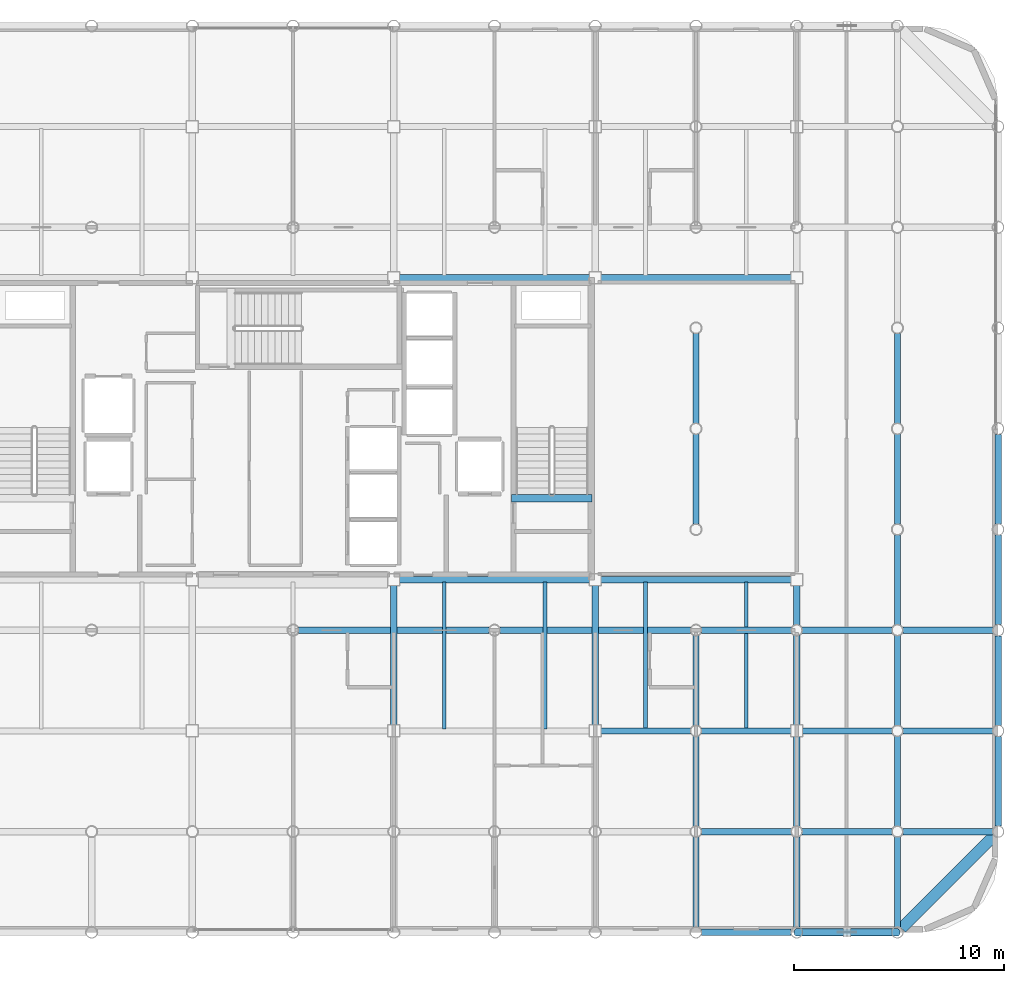
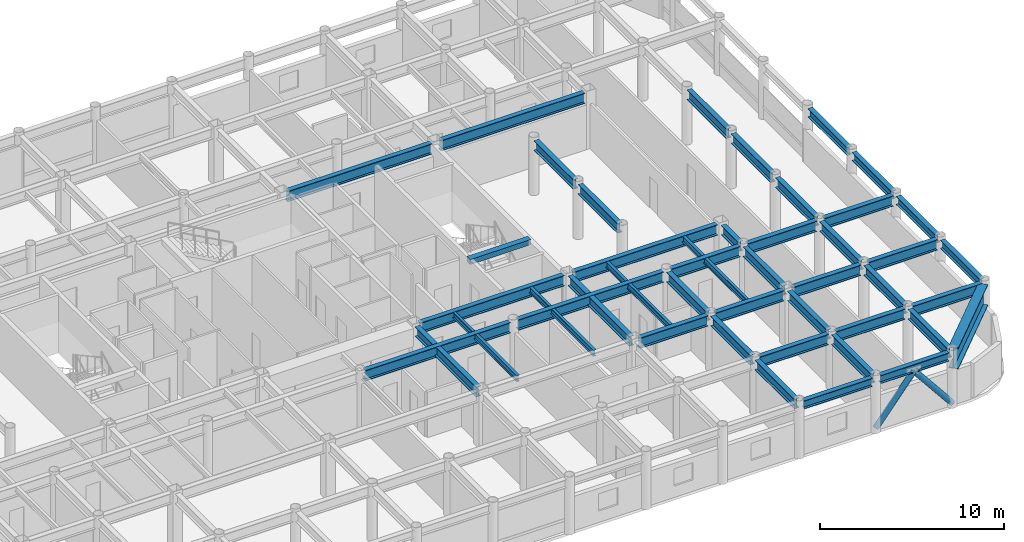
# One storey, part 9 of 21: 45 beams, 2 members.
"""IFC4 building model written with IfcOpenShell, lengths in metres."""

import ifcopenshell
import ifcopenshell.guid

model = None  # the IFC model being written
_history = None  # IfcOwnerHistory: only IFC2X3 demands one
_inside = {}  # id of a spatial element -> (the spatial element, [elements in it])
_under = {}  # id of a project, library or spatial element -> (it, [spatial elements below it])
_declared = {}  # id of a project -> (the project, [libraries it declares])
_typed = {}  # id of a type object -> (the type object, [elements of that type])
_made_of = {}  # id of a material, layer set ... -> (it, [elements and type objects made of it])


def new_model(schema):
    """Start an empty IFC model of exactly this schema.

    Asked for "IFC4X3", IfcOpenShell would pick the latest addendum, in which some entities
    have other attributes; the version numbers below select the first issue.
    IFC2X3 requires an IfcOwnerHistory on every rooted entity: one is made here for all.
    """
    global model, _history
    if schema == "IFC4X3":
        model = ifcopenshell.file(schema_version=(4, 3, 0, 0))
    else:
        model = ifcopenshell.file(schema=schema)
    _inside.clear()
    _under.clear()
    _declared.clear()
    _typed.clear()
    _made_of.clear()
    _history = None
    if model.schema == "IFC2X3":
        org = make("IfcOrganization", Name="unknown")
        user = make(
            "IfcPersonAndOrganization",
            ThePerson=make("IfcPerson", FamilyName="unknown"),
            TheOrganization=org,
        )
        app = make(
            "IfcApplication",
            ApplicationDeveloper=org,
            Version="unknown",
            ApplicationFullName="unknown",
            ApplicationIdentifier="unknown",
        )
        _history = make(
            "IfcOwnerHistory",
            OwningUser=user,
            OwningApplication=app,
            ChangeAction="ADDED",
            CreationDate=0,
        )
    return model


def make(cls, **values):
    """One entity of the class cls with the attributes given. An attribute that is None is left unset."""
    return model.create_entity(
        cls, **{name: value for name, value in values.items() if value is not None}
    )


def rooted(cls, **values):
    """An entity with a GlobalId (a new one), such as an element, a storey or a relation."""
    return make(cls, GlobalId=ifcopenshell.guid.new(), OwnerHistory=_history, **values)


def si_unit(unit_type, name, prefix=None):
    """IfcSIUnit, for example si_unit("LENGTHUNIT", "METRE", prefix="MILLI")."""
    return make("IfcSIUnit", UnitType=unit_type, Prefix=prefix, Name=name)


def assignment(units):
    """IfcUnitAssignment: the units of a project."""
    return None if units is None else make("IfcUnitAssignment", Units=units)


def point(xyz):
    """IfcCartesianPoint."""
    return None if xyz is None else make("IfcCartesianPoint", Coordinates=xyz)


def direction(xyz):
    """IfcDirection."""
    return None if xyz is None else make("IfcDirection", DirectionRatios=xyz)


def frame(location, z_axis=None, x_axis=None):
    """IfcAxis2Placement3D, a coordinate frame: its origin and axes. An axis left out is left unset."""
    return make(
        "IfcAxis2Placement3D",
        Location=point(location),
        Axis=direction(z_axis),
        RefDirection=direction(x_axis),
    )


def frame_2d(location, x_axis=None):
    """IfcAxis2Placement2D, a coordinate frame in the plane: its origin and x axis."""
    return make(
        "IfcAxis2Placement2D", Location=point(location), RefDirection=direction(x_axis)
    )


def origin():
    """The frame at (0, 0, 0) with its axes left unset."""
    return frame((0.0, 0.0, 0.0))


def origin_2d():
    """The frame at (0, 0) in the plane with its x axis left unset."""
    return frame_2d((0.0, 0.0))


def place(relative_to, where):
    """IfcLocalPlacement: puts the frame where relative to a parent placement (None: the world)."""
    return make(
        "IfcLocalPlacement", PlacementRelTo=relative_to, RelativePlacement=where
    )


def context(
    kind, dimensions, precision=None, world=None, true_north=None, identifier=None
):
    """IfcGeometricRepresentationContext, for example the 3D "Model" context."""
    return make(
        "IfcGeometricRepresentationContext",
        ContextIdentifier=identifier,
        ContextType=kind,
        CoordinateSpaceDimension=dimensions,
        Precision=precision,
        WorldCoordinateSystem=world,
        TrueNorth=true_north,
    )


def subcontext(parent, identifier, kind, view, scale=None):
    """IfcGeometricRepresentationSubContext, for example "Body" below "Model"."""
    return make(
        "IfcGeometricRepresentationSubContext",
        ContextIdentifier=identifier,
        ContextType=kind,
        ParentContext=parent,
        TargetScale=scale,
        TargetView=view,
    )


def project(units=None, contexts=None):
    """IfcProject with its units and contexts."""
    return rooted(
        "IfcProject",
        Name="project",
        RepresentationContexts=contexts,
        UnitsInContext=assignment(units),
    )


def spatial(cls, under=None, at=None, **own):
    """A site, building, storey or space (cls), placed at a placement, below another one or the project."""
    s = rooted(cls, ObjectPlacement=at, **own)
    if under is not None:
        _under.setdefault(under.id(), (under, []))[1].append(s)
    return s


def profile(cls, at=None, kind="AREA", **sizes):
    """A parametric profile (cls). Its sizes go by their IFC names, for example OverallWidth=200.0."""
    return make(cls, ProfileType=kind, Position=at, **sizes)


def rectangle(**sizes):
    """IfcRectangleProfileDef."""
    return profile("IfcRectangleProfileDef", **sizes)


def hollow_circle(**sizes):
    """IfcCircleHollowProfileDef."""
    return profile("IfcCircleHollowProfileDef", **sizes)


def i_section(**sizes):
    """IfcIShapeProfileDef."""
    return profile("IfcIShapeProfileDef", **sizes)


def extrude(swept, where, along, depth):
    """IfcExtrudedAreaSolid: the profile swept, set in the frame where, extruded along a direction by depth."""
    return make(
        "IfcExtrudedAreaSolid",
        SweptArea=swept,
        Position=where,
        ExtrudedDirection=direction(along),
        Depth=depth,
    )


def shape(context_of_items, identifier, shape_type, items):
    """IfcShapeRepresentation: the items that make up one representation, for example the "Body"."""
    return make(
        "IfcShapeRepresentation",
        ContextOfItems=context_of_items,
        RepresentationIdentifier=identifier,
        RepresentationType=shape_type,
        Items=items,
    )


def material(Name=None, Category=None):
    """IfcMaterial."""
    return make("IfcMaterial", Name=Name, Category=Category)


def material_profile(
    of_material, cross_section, Name=None, Category=None, Priority=None
):
    """IfcMaterialProfile: a cross section and its material."""
    return make(
        "IfcMaterialProfile",
        Name=Name,
        Material=of_material,
        Profile=cross_section,
        Priority=Priority,
        Category=Category,
    )


def profile_set(profiles, Name=None, composite=None):
    """IfcMaterialProfileSet."""
    return make(
        "IfcMaterialProfileSet",
        Name=Name,
        MaterialProfiles=profiles,
        CompositeProfile=composite,
    )


def made_of(thing, what):
    """Note that an element or type object is made of a material, layer set ...; save() writes the relation."""
    if what is not None:
        _made_of.setdefault(what.id(), (what, []))[1].append(thing)
    return thing


def type_object(cls, material=None, **own):
    """A type object (cls), such as IfcWallType, which elements share."""
    return made_of(rooted(cls, **own), material)


def element(
    cls,
    number,
    at=None,
    inside=None,
    cuts=None,
    type_object=None,
    material=None,
    context=None,
    identifier="Body",
    shape_type=None,
    held_by="IfcProductDefinitionShape",
    body=None,
    shapes=None,
    **own,
):
    """One element of the class cls, such as IfcWall. Its Tag is "e" and its number.

    at: its placement. inside: the storey or other place that contains it. cuts: it is an
    opening in that element (IfcRelVoidsElement). A single representation is given by context,
    identifier, shape_type and body (its items); several are given by shapes. held_by: the class
    of the entity that holds the representations. save() writes the other relations.
    """
    e = rooted(cls, Tag="e%d" % number, ObjectPlacement=at, **own)
    if body is not None:
        shapes = [shape(context, identifier, shape_type, body)]
    if shapes is not None:
        e.Representation = make(held_by, Representations=shapes)
    if inside is not None:
        _inside.setdefault(inside.id(), (inside, []))[1].append(e)
    if cuts is not None:
        rooted(
            "IfcRelVoidsElement", RelatingBuildingElement=cuts, RelatedOpeningElement=e
        )
    if type_object is not None:
        _typed.setdefault(type_object.id(), (type_object, []))[1].append(e)
    return made_of(e, material)


def aggregate(whole, parts):
    """IfcRelAggregates: a whole, such as a stair, and the parts it consists of."""
    return rooted("IfcRelAggregates", RelatingObject=whole, RelatedObjects=parts)


def save(model, path):
    """Write the relations noted so far, then the file.

    IfcRelAggregates (storeys below a building ...), IfcRelContainedInSpatialStructure (elements
    in a storey), IfcRelDefinesByType, IfcRelAssociatesMaterial and IfcRelDeclares: one each for
    every whole, place, type object, material and project.
    """
    for whole, parts in _under.values():
        aggregate(whole, parts)
    for where, things in _inside.values():
        rooted(
            "IfcRelContainedInSpatialStructure",
            RelatedElements=things,
            RelatingStructure=where,
        )
    for kind, things in _typed.values():
        rooted("IfcRelDefinesByType", RelatedObjects=things, RelatingType=kind)
    for what, things in _made_of.values():
        rooted("IfcRelAssociatesMaterial", RelatedObjects=things, RelatingMaterial=what)
    for by, libraries in _declared.values():
        rooted("IfcRelDeclares", RelatingContext=by, RelatedDefinitions=libraries)
    model.write(path)


model = new_model("IFC4")

# Units and contexts
model_context = context("Model", 3, precision=1e-05, world=origin(), true_north=direction((0.0, 1.0)))
body_context = subcontext(model_context, "Body", "Model", "MODEL_VIEW")
ifc_project = project(units=[si_unit("LENGTHUNIT", "METRE"), si_unit("AREAUNIT", "SQUARE_METRE"), si_unit("VOLUMEUNIT", "CUBIC_METRE"), si_unit("PLANEANGLEUNIT", "RADIAN"), si_unit("MASSUNIT", "GRAM", prefix="KILO")], contexts=[model_context])

# Site, building, storey
site_placement = place(None, origin())
site = spatial("IfcSite", under=ifc_project, at=site_placement, CompositionType="ELEMENT")
building_placement = place(site_placement, origin())
building = spatial("IfcBuilding", under=site, at=building_placement, Name="Kallvorn Hotel Tower", CompositionType="ELEMENT")
storey_placement = place(building_placement, frame((0.0, 0.0, 210.75)))
storey = spatial("IfcBuildingStorey", under=building, at=storey_placement, Name="L52", CompositionType="ELEMENT", Elevation=210.75)

# Beams
ifc_material_1 = material(Name="Structural steel S355JR", Category="steel")
ifc_material_profile_1 = material_profile(ifc_material_1, i_section(OverallWidth=0.300048828125, OverallDepth=0.550048828125, WebThickness=0.014892578125, FlangeThickness=0.029052734375, at=origin_2d()), Name="HE 550 B")
ifc_profile_set_1 = profile_set([ifc_material_profile_1], Name="Structural steel S355JR")
beam_type_1 = type_object("IfcBeamType", Name="BM_HE550B", PredefinedType="SPANDREL", material=ifc_profile_set_1)
for number, where, z_axis, x_axis, name in (
    (1, (19.469482421875, -24.0, 3.39501953125), (1.0, 0.0, 0.0), (0.0, 1.0, 0.0), "L53 Perimeter Spandrel 160"),
    (2, (24.26953125, -24.0, 3.39501953125), (1.0, 0.0, 0.0), (0.0, 1.0, 0.0), "L53 Perimeter Spandrel 161"),
    (3, (33.60009765625, -18.930419921875, 3.39501953125), (0.0, 1.0, 0.0), (-1.0, 0.0, 0.0), "L53 Perimeter Spandrel 182"),
):
    element("IfcBeam", number, at=place(storey_placement, frame(where, z_axis=z_axis, x_axis=x_axis)), inside=storey, type_object=beam_type_1, Name=name, PredefinedType="SPANDREL", context=body_context, shape_type="SweptSolid", body=[
        extrude(i_section(OverallWidth=0.300048828125, OverallDepth=0.550048828125, WebThickness=0.014892578125, FlangeThickness=0.029052734375, at=origin_2d()), origin(), (0.0, 0.0, 1.0), 4.260986328125),
    ])
beam_1_placement = place(storey_placement, frame((33.60009765625, -14.130615234375, 3.39501953125), z_axis=(0.0, 1.0, 0.0), x_axis=(-1.0, 0.0, 0.0)))
element("IfcBeam", 4, at=beam_1_placement, inside=storey, type_object=beam_type_1, Name="L53 Perimeter Spandrel 183", PredefinedType="SPANDREL", context=body_context, shape_type="SweptSolid", body=[
    extrude(i_section(OverallWidth=0.300048828125, OverallDepth=0.550048828125, WebThickness=0.014892578125, FlangeThickness=0.029052734375, at=origin_2d()), origin(), (0.0, 0.0, 1.0), 4.26123046875),
])
for number, where, z_axis, x_axis, name in (
    (5, (33.60009765625, -9.33056640625, 3.39501953125), (0.0, 1.0, 0.0), (-1.0, 0.0, 0.0), "L53 Perimeter Spandrel 184"),
    (6, (33.60009765625, -4.530517578125, 3.39501953125), (0.0, 1.0, 0.0), (-1.0, 0.0, 0.0), "L53 Perimeter Spandrel 185"),
):
    element("IfcBeam", number, at=place(storey_placement, frame(where, z_axis=z_axis, x_axis=x_axis)), inside=storey, type_object=beam_type_1, Name=name, PredefinedType="SPANDREL", context=body_context, shape_type="SweptSolid", body=[
        extrude(i_section(OverallWidth=0.300048828125, OverallDepth=0.550048828125, WebThickness=0.014892578125, FlangeThickness=0.029052734375, at=origin_2d()), origin(), (0.0, 0.0, 1.0), 4.260986328125),
    ])
ifc_material_2 = material(Name="Structural steel S355JR", Category="steel")
ifc_material_profile_2 = material_profile(ifc_material_2, i_section(OverallWidth=0.300048828125, OverallDepth=0.64990234375, WebThickness=0.01611328125, FlangeThickness=0.031005859375, at=origin_2d()), Name="HE 650 B")
ifc_profile_set_2 = profile_set([ifc_material_profile_2], Name="Structural steel S355JR")
beam_type_2 = type_object("IfcBeamType", Name="BM_HE650B", PredefinedType="BEAM", material=ifc_profile_set_2)
for number, where, z_axis, x_axis, name in (
    (7, (4.800048828125, -14.125, 3.344970703125), (0.0, 1.0, 0.0), (-1.0, 0.0, 0.0), "L53 Primary Y-Girder 115"),
    (8, (14.39990234375, -14.125, 3.344970703125), (0.0, 1.0, 0.0), (-1.0, 0.0, 0.0), "L53 Primary Y-Girder 123"),
):
    element("IfcBeam", number, at=place(storey_placement, frame(where, z_axis=z_axis, x_axis=x_axis)), inside=storey, type_object=beam_type_2, Name=name, PredefinedType="BEAM", context=body_context, shape_type="SweptSolid", body=[
        extrude(i_section(OverallWidth=0.300048828125, OverallDepth=0.64990234375, WebThickness=0.01611328125, FlangeThickness=0.031005859375, at=origin_2d()), origin(), (0.0, 0.0, 1.0), 6.64990234375),
    ])
for number, where, z_axis, x_axis, name in (
    (9, (19.199951171875, -23.74560546875, 3.344970703125), (0.0, 1.0, 0.0), (-1.0, 0.0, 0.0), "L53 Primary Y-Girder 126"),
    (10, (19.199951171875, -18.945556640625, 3.344970703125), (0.0, 1.0, 0.0), (-1.0, 0.0, 0.0), "L53 Primary Y-Girder 127"),
    (11, (19.199951171875, -14.1455078125, 3.344970703125), (0.0, 1.0, 0.0), (-1.0, 0.0, 0.0), "L53 Primary Y-Girder 128"),
    (12, (19.199951171875, -4.54541015625, 3.344970703125), (0.0, 1.0, 0.0), (-1.0, 0.0, 0.0), "L53 Primary Y-Girder 130"),
    (13, (19.199951171875, 0.25439453125, 3.344970703125), (0.0, 1.0, 0.0), (-1.0, 0.0, 0.0), "L53 Primary Y-Girder 131"),
    (14, (24.0, -23.74560546875, 3.344970703125), (0.0, 1.0, 0.0), (-1.0, 0.0, 0.0), "L53 Primary Y-Girder 135"),
):
    element("IfcBeam", number, at=place(storey_placement, frame(where, z_axis=z_axis, x_axis=x_axis)), inside=storey, type_object=beam_type_2, Name=name, PredefinedType="BEAM", context=body_context, shape_type="SweptSolid", body=[
        extrude(i_section(OverallWidth=0.300048828125, OverallDepth=0.64990234375, WebThickness=0.01611328125, FlangeThickness=0.031005859375, at=origin_2d()), origin(), (0.0, 0.0, 1.0), 4.291015625),
    ])
for number, where, z_axis, x_axis, name in (
    (15, (24.0, -18.945556640625, 3.344970703125), (0.0, 1.0, 0.0), (-1.0, 0.0, 0.0), "L53 Primary Y-Girder 136"),
    (16, (24.0, -14.125, 3.344970703125), (0.0, 1.0, 0.0), (-1.0, 0.0, 0.0), "L53 Primary Y-Girder 137"),
):
    element("IfcBeam", number, at=place(storey_placement, frame(where, z_axis=z_axis, x_axis=x_axis)), inside=storey, type_object=beam_type_2, Name=name, PredefinedType="BEAM", context=body_context, shape_type="SweptSolid", body=[
        extrude(i_section(OverallWidth=0.300048828125, OverallDepth=0.64990234375, WebThickness=0.01611328125, FlangeThickness=0.031005859375, at=origin_2d()), origin(), (0.0, 0.0, 1.0), 4.2705078125),
    ])
beam_2_placement = place(storey_placement, frame((24.0, -9.345458984375, 3.344970703125), z_axis=(0.0, 1.0, 0.0), x_axis=(-1.0, 0.0, 0.0)))
element("IfcBeam", 17, at=beam_2_placement, inside=storey, type_object=beam_type_2, Name="L53 Primary Y-Girder 138", PredefinedType="BEAM", context=body_context, shape_type="SweptSolid", body=[
    extrude(i_section(OverallWidth=0.300048828125, OverallDepth=0.64990234375, WebThickness=0.01611328125, FlangeThickness=0.031005859375, at=origin_2d()), origin(), (0.0, 0.0, 1.0), 1.870361328125),
])
for number, where, z_axis, x_axis, name in (
    (18, (28.800048828125, -23.74560546875, 3.344970703125), (0.0, 1.0, 0.0), (-1.0, 0.0, 0.0), "L53 Primary Y-Girder 142"),
    (19, (28.800048828125, -18.945556640625, 3.344970703125), (0.0, 1.0, 0.0), (-1.0, 0.0, 0.0), "L53 Primary Y-Girder 143"),
    (20, (28.800048828125, -14.1455078125, 3.344970703125), (0.0, 1.0, 0.0), (-1.0, 0.0, 0.0), "L53 Primary Y-Girder 144"),
    (21, (28.800048828125, -9.345458984375, 3.344970703125), (0.0, 1.0, 0.0), (-1.0, 0.0, 0.0), "L53 Primary Y-Girder 145"),
    (22, (28.800048828125, -4.54541015625, 3.344970703125), (0.0, 1.0, 0.0), (-1.0, 0.0, 0.0), "L53 Primary Y-Girder 146"),
    (23, (28.800048828125, 0.25439453125, 3.344970703125), (0.0, 1.0, 0.0), (-1.0, 0.0, 0.0), "L53 Primary Y-Girder 147"),
):
    element("IfcBeam", number, at=place(storey_placement, frame(where, z_axis=z_axis, x_axis=x_axis)), inside=storey, type_object=beam_type_2, Name=name, PredefinedType="BEAM", context=body_context, shape_type="SweptSolid", body=[
        extrude(i_section(OverallWidth=0.300048828125, OverallDepth=0.64990234375, WebThickness=0.01611328125, FlangeThickness=0.031005859375, at=origin_2d()), origin(), (0.0, 0.0, 1.0), 4.291015625),
    ])
ifc_material_3 = material(Name="Structural steel S355JR", Category="steel")
ifc_material_profile_3 = material_profile(ifc_material_3, i_section(OverallWidth=0.300048828125, OverallDepth=0.699951171875, WebThickness=0.01708984375, FlangeThickness=0.031982421875, at=origin_2d()), Name="HE 700 B")
ifc_profile_set_3 = profile_set([ifc_material_profile_3], Name="Structural steel S355JR")
beam_type_3 = type_object("IfcBeamType", Name="BM_HE700B", PredefinedType="BEAM", material=ifc_profile_set_3)
for number, where, z_axis, x_axis, name in (
    (24, (19.45458984375, -19.199951171875, 3.320068359375), (1.0, 0.0, 0.0), (0.0, 1.0, 0.0), "L53 Primary X-Girder 11"),
    (25, (24.25439453125, -19.199951171875, 3.320068359375), (1.0, 0.0, 0.0), (0.0, 1.0, 0.0), "L53 Primary X-Girder 12"),
    (26, (29.054443359375, -19.199951171875, 3.320068359375), (1.0, 0.0, 0.0), (0.0, 1.0, 0.0), "L53 Primary X-Girder 13"),
):
    element("IfcBeam", number, at=place(storey_placement, frame(where, z_axis=z_axis, x_axis=x_axis)), inside=storey, type_object=beam_type_3, Name=name, PredefinedType="BEAM", context=body_context, shape_type="SweptSolid", body=[
        extrude(i_section(OverallWidth=0.300048828125, OverallDepth=0.699951171875, WebThickness=0.01708984375, FlangeThickness=0.031982421875, at=origin_2d()), origin(), (0.0, 0.0, 1.0), 4.291015625),
    ])
for number, where, z_axis, x_axis, name in (
    (27, (14.675048828125, -14.39990234375, 3.320068359375), (1.0, 0.0, 0.0), (0.0, 1.0, 0.0), "L53 Primary X-Girder 20"),
    (28, (19.45458984375, -14.39990234375, 3.320068359375), (1.0, 0.0, 0.0), (0.0, 1.0, 0.0), "L53 Primary X-Girder 21"),
    (29, (24.27490234375, -14.39990234375, 3.320068359375), (1.0, 0.0, 0.0), (0.0, 1.0, 0.0), "L53 Primary X-Girder 22"),
):
    element("IfcBeam", number, at=place(storey_placement, frame(where, z_axis=z_axis, x_axis=x_axis)), inside=storey, type_object=beam_type_3, Name=name, PredefinedType="BEAM", context=body_context, shape_type="SweptSolid", body=[
        extrude(i_section(OverallWidth=0.300048828125, OverallDepth=0.699951171875, WebThickness=0.01708984375, FlangeThickness=0.031982421875, at=origin_2d()), origin(), (0.0, 0.0, 1.0), 4.2705078125),
    ])
beam_3_placement = place(storey_placement, frame((29.054443359375, -14.39990234375, 3.320068359375), z_axis=(1.0, 0.0, 0.0), x_axis=(0.0, 1.0, 0.0)))
element("IfcBeam", 30, at=beam_3_placement, inside=storey, type_object=beam_type_3, Name="L53 Primary X-Girder 23", PredefinedType="BEAM", context=body_context, shape_type="SweptSolid", body=[
    extrude(i_section(OverallWidth=0.300048828125, OverallDepth=0.699951171875, WebThickness=0.01708984375, FlangeThickness=0.031982421875, at=origin_2d()), origin(), (0.0, 0.0, 1.0), 4.291015625),
])
for number, where, z_axis, x_axis, name in (
    (31, (0.25439453125, -9.60009765625, 3.320068359375), (1.0, 0.0, 0.0), (0.0, 1.0, 0.0), "L53 Primary X-Girder 28"),
    (32, (9.8544921875, -9.60009765625, 3.320068359375), (1.0, 0.0, 0.0), (0.0, 1.0, 0.0), "L53 Primary X-Girder 29"),
):
    element("IfcBeam", number, at=place(storey_placement, frame(where, z_axis=z_axis, x_axis=x_axis)), inside=storey, type_object=beam_type_3, Name=name, PredefinedType="BEAM", context=body_context, shape_type="SweptSolid", body=[
        extrude(i_section(OverallWidth=0.300048828125, OverallDepth=0.699951171875, WebThickness=0.01708984375, FlangeThickness=0.031982421875, at=origin_2d()), origin(), (0.0, 0.0, 1.0), 9.091064453125),
    ])
for number, where, z_axis, x_axis, name in (
    (33, (19.45458984375, -9.60009765625, 3.320068359375), (1.0, 0.0, 0.0), (0.0, 1.0, 0.0), "L53 Primary X-Girder 30"),
    (34, (24.25439453125, -9.60009765625, 3.320068359375), (1.0, 0.0, 0.0), (0.0, 1.0, 0.0), "L53 Primary X-Girder 31"),
    (35, (29.054443359375, -9.60009765625, 3.320068359375), (1.0, 0.0, 0.0), (0.0, 1.0, 0.0), "L53 Primary X-Girder 32"),
):
    element("IfcBeam", number, at=place(storey_placement, frame(where, z_axis=z_axis, x_axis=x_axis)), inside=storey, type_object=beam_type_3, Name=name, PredefinedType="BEAM", context=body_context, shape_type="SweptSolid", body=[
        extrude(i_section(OverallWidth=0.300048828125, OverallDepth=0.699951171875, WebThickness=0.01708984375, FlangeThickness=0.031982421875, at=origin_2d()), origin(), (0.0, 0.0, 1.0), 4.291015625),
    ])
for number, where, z_axis, x_axis, name in (
    (36, (5.074951171875, -7.199951171875, 3.320068359375), (1.0, 0.0, 0.0), (0.0, 1.0, 0.0), "L53 Primary X-Girder 35"),
    (37, (14.675048828125, -7.199951171875, 3.320068359375), (1.0, 0.0, 0.0), (0.0, 1.0, 0.0), "L53 Primary X-Girder 36"),
    (38, (5.074951171875, 7.199951171875, 3.320068359375), (1.0, 0.0, 0.0), (0.0, 1.0, 0.0), "L53 Primary X-Girder 40"),
    (39, (14.675048828125, 7.199951171875, 3.320068359375), (1.0, 0.0, 0.0), (0.0, 1.0, 0.0), "L53 Primary X-Girder 41"),
):
    element("IfcBeam", number, at=place(storey_placement, frame(where, z_axis=z_axis, x_axis=x_axis)), inside=storey, type_object=beam_type_3, Name=name, PredefinedType="BEAM", context=body_context, shape_type="SweptSolid", body=[
        extrude(i_section(OverallWidth=0.300048828125, OverallDepth=0.699951171875, WebThickness=0.01708984375, FlangeThickness=0.031982421875, at=origin_2d()), origin(), (0.0, 0.0, 1.0), 9.050048828125),
    ])
ifc_material_4 = material(Name="Structural steel S355JR", Category="steel")
ifc_material_profile_4 = material_profile(ifc_material_4, i_section(OverallWidth=0.179931640625, OverallDepth=0.39990234375, WebThickness=0.008544921875, FlangeThickness=0.013427734375, at=origin_2d()), Name="IPE 400")
ifc_profile_set_4 = profile_set([ifc_material_profile_4], Name="Structural steel S355JR")
beam_type_4 = type_object("IfcBeamType", Name="BM_IPE400", PredefinedType="JOIST", material=ifc_profile_set_4)
for number, where, z_axis, x_axis, name in (
    (40, (7.199951171875, -14.300048828125, 3.469970703125), (0.0, 1.0, 0.0), (-1.0, 0.0, 0.0), "L53 Secondary Composite Joist 202"),
    (41, (12.0, -14.300048828125, 3.469970703125), (0.0, 1.0, 0.0), (-1.0, 0.0, 0.0), "L53 Secondary Composite Joist 204"),
    (42, (16.800048828125, -14.300048828125, 3.469970703125), (0.0, 1.0, 0.0), (-1.0, 0.0, 0.0), "L53 Secondary Composite Joist 206"),
    (43, (21.60009765625, -14.300048828125, 3.469970703125), (0.0, 1.0, 0.0), (-1.0, 0.0, 0.0), "L53 Secondary Composite Joist 208"),
):
    element("IfcBeam", number, at=place(storey_placement, frame(where, z_axis=z_axis, x_axis=x_axis)), inside=storey, type_object=beam_type_4, Name=name, PredefinedType="JOIST", context=body_context, shape_type="SweptSolid", body=[
        extrude(i_section(OverallWidth=0.179931640625, OverallDepth=0.39990234375, WebThickness=0.008544921875, FlangeThickness=0.013427734375, at=origin_2d()), origin(), (0.0, 0.0, 1.0), 7.0),
    ])
ifc_material_5 = material(Name="Structural steel S355JR", Category="steel")
ifc_material_profile_5 = material_profile(ifc_material_5, i_section(OverallWidth=0.550048828125, OverallDepth=1.39990234375, WebThickness=0.02490234375, FlangeThickness=0.044921875, at=origin_2d()), Name="PG 1400x550x25x45")
ifc_profile_set_5 = profile_set([ifc_material_profile_5], Name="Structural steel S355JR")
beam_type_5 = type_object("IfcBeamType", Name="BM_PG_1400", PredefinedType="BEAM", material=ifc_profile_set_5)
beam_4_placement = place(storey_placement, frame((33.409423828125, -19.390625, 2.969970703125), z_axis=(-0.707126314793, -0.707087247041, 0.0), x_axis=(0.707087247041, -0.707126314793, 0.0)))
element("IfcBeam", 44, at=beam_4_placement, inside=storey, type_object=beam_type_5, Name="L53 Rounded Corner Tie Beam 190", PredefinedType="BEAM", context=body_context, shape_type="SweptSolid", body=[
    extrude(i_section(OverallWidth=0.550048828125, OverallDepth=1.39990234375, WebThickness=0.02490234375, FlangeThickness=0.044921875, at=origin_2d()), origin(), (0.0, 0.0, 1.0), 6.249267578125),
])
ifc_material_6 = material(Name="Concrete C50/60", Category="concrete")
ifc_material_profile_6 = material_profile(ifc_material_6, rectangle(XDim=0.360107421875, YDim=0.340087890625, at=origin_2d()), Name="RC 360x340")
ifc_profile_set_6 = profile_set([ifc_material_profile_6], Name="Concrete C50/60")
beam_type_6 = type_object("IfcBeamType", Name="BM_RC_400x360", PredefinedType="BEAM", material=ifc_profile_set_6)
beam_5_placement = place(storey_placement, frame((14.239990234375, -3.31005859375, 3.5), z_axis=(-1.0, 0.0, 0.0), x_axis=(0.0, -1.0, 0.0)))
element("IfcBeam", 45, at=beam_5_placement, inside=storey, type_object=beam_type_6, Name="L53 Stair ST2 Arrival Trimmer Beam", PredefinedType="BEAM", context=body_context, shape_type="SweptSolid", body=[
    extrude(rectangle(XDim=0.360107421875, YDim=0.340087890625, at=origin_2d()), origin(), (0.0, 0.0, 1.0), 3.820068359375),
])

# Members
ifc_material_7 = material(Name="Structural steel S355J2H", Category="steel")
ifc_material_profile_7 = material_profile(ifc_material_7, hollow_circle(Radius=0.177734375, WallThickness=0.01416015625, at=origin_2d()), Name="CHS 355.6x14.2")
ifc_profile_set_7 = profile_set([ifc_material_profile_7], Name="Structural steel S355J2H")
member_type = type_object("IfcMemberType", Name="MBR_EXO_CHS355", PredefinedType="BRACE", material=ifc_profile_set_7)
for number, where, z_axis, x_axis, name in (
    (46, (24.012451171875, -24.0, 0.195556640625), (0.627270878626, 0.0, 0.778801158722), (0.0, 1.0, 0.0), "L52 Exoskeleton K-Brace S2A"),
    (47, (28.78759765625, -24.0, 0.195556640625), (-0.627270878626, 0.0, 0.778801158722), (0.0, -1.0, 0.0), "L52 Exoskeleton K-Brace S2B"),
):
    element("IfcMember", number, at=place(storey_placement, frame(where, z_axis=z_axis, x_axis=x_axis)), inside=storey, type_object=member_type, Name=name, PredefinedType="BRACE", context=body_context, shape_type="SweptSolid", body=[
        extrude(hollow_circle(Radius=0.177734375, WallThickness=0.01416015625, at=origin_2d()), origin(), (0.0, 0.0, 1.0), 3.7861328125),
    ])

save(model, "model.ifc")
